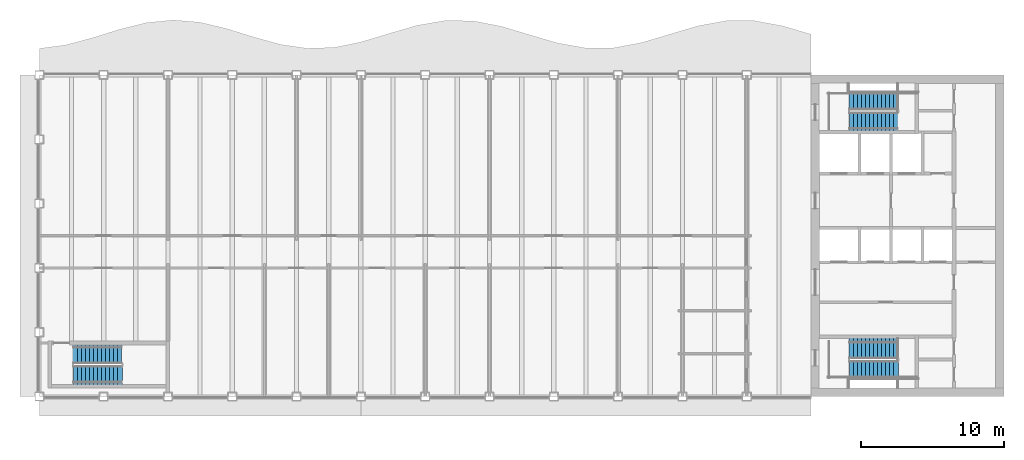
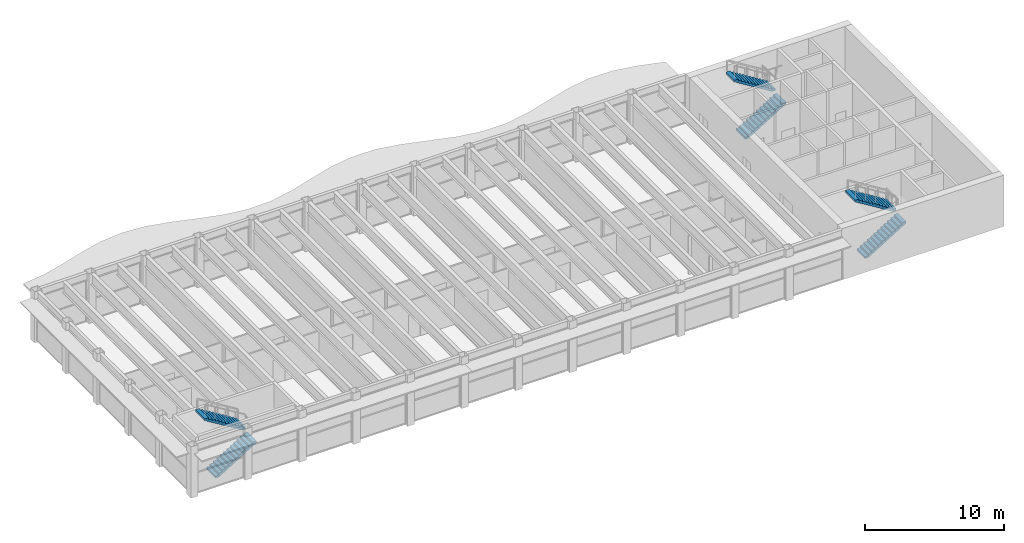
# One storey, part 11 of 14: 6 stair flights, 3 elements without a shape of their own.
"""IFC4 building model written with IfcOpenShell, lengths in metres."""

from ifc_helpers import new_model, si_unit, direction, frame, origin, place, context, subcontext, project, spatial, polyline, outline, extrude, material, type_object, element, aggregate, save


model = new_model("IFC4")

# Units and contexts
model_context = context("Model", 3, precision=1e-05, world=origin(), true_north=direction((0.0, 1.0)))
body_context = subcontext(model_context, "Body", "Model", "MODEL_VIEW")
ifc_project = project(units=[si_unit("LENGTHUNIT", "METRE"), si_unit("AREAUNIT", "SQUARE_METRE"), si_unit("VOLUMEUNIT", "CUBIC_METRE"), si_unit("PLANEANGLEUNIT", "RADIAN"), si_unit("MASSUNIT", "GRAM", prefix="KILO")], contexts=[model_context])

# Site, building, storey
site_placement = place(None, origin())
site = spatial("IfcSite", under=ifc_project, at=site_placement, CompositionType="ELEMENT")
building_placement = place(site_placement, origin())
building = spatial("IfcBuilding", under=site, at=building_placement, Name="Sennacour Bend Tower", CompositionType="ELEMENT")
storey_placement = place(building_placement, frame((0.0, 0.0, 327.5)))
storey = spatial("IfcBuildingStorey", under=building, at=storey_placement, Name="L75", CompositionType="ELEMENT", Elevation=327.5)

# Stair, stair flights
ifc_material = material(Name="Concrete C40/50", Category="concrete")
stair_type = type_object("IfcStairType", Name="ST-DOGLEG", PredefinedType="HALF_TURN_STAIR", material=ifc_material)
stair_1_placement = place(storey_placement, origin())
stair_1 = element("IfcStair", 1, at=stair_1_placement, inside=storey, type_object=stair_type, Name="L75 Exit stair A1", PredefinedType="HALF_TURN_STAIR")
stair_flight_type = type_object("IfcStairFlightType", Name="SFL-RC", PredefinedType="STRAIGHT", material=ifc_material)
stair_flight_1_placement = place(storey_placement, frame((56.699951171875, 1.89990234375, 0.0), z_axis=(0.0, 0.0, 1.0), x_axis=(1.0, 0.0, 0.0)))
stair_flight_1 = element("IfcStairFlight", 2, at=stair_flight_1_placement, type_object=stair_flight_type, Name="SA1 flight 1", NumberOfRisers=13, NumberOfTreads=12, PredefinedType="STRAIGHT", RiserHeight=0.173076923, TreadLength=0.28, context=body_context, shape_type="SweptSolid", body=[
    extrude(outline(polyline([(0.0, 0.0), (0.0, 0.173095703125), (0.280029296875, 0.173095703125), (0.280029296875, 0.34619140625), (0.56005859375, 0.34619140625), (0.56005859375, 0.519287109375), (0.840087890625, 0.519287109375), (0.840087890625, 0.6923828125), (1.1201171875, 0.6923828125), (1.1201171875, 0.865478515625), (1.39990234375, 0.865478515625), (1.39990234375, 1.03857421875), (1.679931640625, 1.03857421875), (1.679931640625, 1.21142578125), (1.9599609375, 1.21142578125), (1.9599609375, 1.384521484375), (2.239990234375, 1.384521484375), (2.239990234375, 1.5576171875), (2.52001953125, 1.5576171875), (2.52001953125, 1.730712890625), (2.800048828125, 1.730712890625), (2.800048828125, 1.90380859375), (3.080078125, 1.90380859375), (3.080078125, 2.076904296875), (3.360107421875, 2.076904296875), (3.419921875, 2.076904296875), (3.419921875, 1.900634765625), (3.360107421875, 1.900634765625), (0.28515625, 0.0), (0.0, 0.0)])), frame((0.0, 0.60009765625, 0.0), z_axis=(0.0, -1.0, 0.0), x_axis=(1.0, 0.0, 0.0)), (0.0, 0.0, 1.0), 1.199951171875),
])
stair_flight_2_placement = place(storey_placement, frame((60.06005859375, 3.37744140625, 2.25), z_axis=(0.0, 0.0, 1.0), x_axis=(-1.0, 0.0, 0.0)))
stair_flight_2 = element("IfcStairFlight", 3, at=stair_flight_2_placement, type_object=stair_flight_type, Name="SA1 flight 2", NumberOfRisers=13, NumberOfTreads=12, PredefinedType="STRAIGHT", RiserHeight=0.173076923, TreadLength=0.28, context=body_context, shape_type="SweptSolid", body=[
    extrude(outline(polyline([(0.0, 0.0), (0.0, 0.173095703125), (0.280029296875, 0.173095703125), (0.280029296875, 0.34619140625), (0.56005859375, 0.34619140625), (0.56005859375, 0.519287109375), (0.840087890625, 0.519287109375), (0.840087890625, 0.6923828125), (1.1201171875, 0.6923828125), (1.1201171875, 0.865478515625), (1.39990234375, 0.865478515625), (1.39990234375, 1.03857421875), (1.679931640625, 1.03857421875), (1.679931640625, 1.21142578125), (1.9599609375, 1.21142578125), (1.9599609375, 1.384521484375), (2.239990234375, 1.384521484375), (2.239990234375, 1.5576171875), (2.52001953125, 1.5576171875), (2.52001953125, 1.730712890625), (2.800048828125, 1.730712890625), (2.800048828125, 1.90380859375), (3.080078125, 1.90380859375), (3.080078125, 2.076904296875), (3.360107421875, 2.076904296875), (3.419921875, 2.076904296875), (3.419921875, 1.900634765625), (3.360107421875, 1.900634765625), (0.28515625, 0.0), (0.0, 0.0)])), frame((0.0, 0.7275390625, 0.0), z_axis=(0.0, -1.0, 0.0), x_axis=(1.0, 0.0, 0.0)), (0.0, 0.0, 1.0), 1.455078125),
])
aggregate(stair_1, [stair_flight_1, stair_flight_2])

stair_2_placement = place(storey_placement, origin())
stair_2 = element("IfcStair", 4, at=stair_2_placement, inside=storey, type_object=stair_type, Name="L75 Exit stair A2", PredefinedType="HALF_TURN_STAIR")
stair_flight_3_placement = place(storey_placement, frame((56.699951171875, 19.24755859375, 0.0), z_axis=(0.0, 0.0, 1.0), x_axis=(1.0, 0.0, 0.0)))
stair_flight_3 = element("IfcStairFlight", 5, at=stair_flight_3_placement, type_object=stair_flight_type, Name="SA2 flight 1", NumberOfRisers=13, NumberOfTreads=12, PredefinedType="STRAIGHT", RiserHeight=0.173076923, TreadLength=0.28, context=body_context, shape_type="SweptSolid", body=[
    extrude(outline(polyline([(0.0, 0.0), (0.0, 0.173095703125), (0.280029296875, 0.173095703125), (0.280029296875, 0.34619140625), (0.56005859375, 0.34619140625), (0.56005859375, 0.519287109375), (0.840087890625, 0.519287109375), (0.840087890625, 0.6923828125), (1.1201171875, 0.6923828125), (1.1201171875, 0.865478515625), (1.39990234375, 0.865478515625), (1.39990234375, 1.03857421875), (1.679931640625, 1.03857421875), (1.679931640625, 1.21142578125), (1.9599609375, 1.21142578125), (1.9599609375, 1.384521484375), (2.239990234375, 1.384521484375), (2.239990234375, 1.5576171875), (2.52001953125, 1.5576171875), (2.52001953125, 1.730712890625), (2.800048828125, 1.730712890625), (2.800048828125, 1.90380859375), (3.080078125, 1.90380859375), (3.080078125, 2.076904296875), (3.360107421875, 2.076904296875), (3.419921875, 2.076904296875), (3.419921875, 1.900634765625), (3.360107421875, 1.900634765625), (0.28515625, 0.0), (0.0, 0.0)])), frame((0.0, 0.65234375, 0.0), z_axis=(0.0, -1.0, 0.0), x_axis=(1.0, 0.0, 0.0)), (0.0, 0.0, 1.0), 1.304931640625),
])
stair_flight_4_placement = place(storey_placement, frame((60.06005859375, 20.64990234375, 2.25), z_axis=(0.0, 0.0, 1.0), x_axis=(-1.0, 0.0, 0.0)))
stair_flight_4 = element("IfcStairFlight", 6, at=stair_flight_4_placement, type_object=stair_flight_type, Name="SA2 flight 2", NumberOfRisers=13, NumberOfTreads=12, PredefinedType="STRAIGHT", RiserHeight=0.173076923, TreadLength=0.28, context=body_context, shape_type="SweptSolid", body=[
    extrude(outline(polyline([(0.0, 0.0), (0.0, 0.173095703125), (0.280029296875, 0.173095703125), (0.280029296875, 0.34619140625), (0.56005859375, 0.34619140625), (0.56005859375, 0.519287109375), (0.840087890625, 0.519287109375), (0.840087890625, 0.6923828125), (1.1201171875, 0.6923828125), (1.1201171875, 0.865478515625), (1.39990234375, 0.865478515625), (1.39990234375, 1.03857421875), (1.679931640625, 1.03857421875), (1.679931640625, 1.21142578125), (1.9599609375, 1.21142578125), (1.9599609375, 1.384521484375), (2.239990234375, 1.384521484375), (2.239990234375, 1.5576171875), (2.52001953125, 1.5576171875), (2.52001953125, 1.730712890625), (2.800048828125, 1.730712890625), (2.800048828125, 1.90380859375), (3.080078125, 1.90380859375), (3.080078125, 2.076904296875), (3.360107421875, 2.076904296875), (3.419921875, 2.076904296875), (3.419921875, 1.900634765625), (3.360107421875, 1.900634765625), (0.28515625, 0.0), (0.0, 0.0)])), frame((0.0, 0.60009765625, 0.0), z_axis=(0.0, -1.0, 0.0), x_axis=(1.0, 0.0, 0.0)), (0.0, 0.0, 1.0), 1.199951171875),
])
aggregate(stair_2, [stair_flight_3, stair_flight_4])

stair_3_placement = place(storey_placement, origin())
stair_3 = element("IfcStair", 7, at=stair_3_placement, inside=storey, type_object=stair_type, Name="L75 Exit stair K1", PredefinedType="HALF_TURN_STAIR")
stair_flight_5_placement = place(storey_placement, frame((2.39990234375, 1.485107421875, 0.0), z_axis=(0.0, 0.0, 1.0), x_axis=(1.0, 0.0, 0.0)))
stair_flight_5 = element("IfcStairFlight", 8, at=stair_flight_5_placement, type_object=stair_flight_type, Name="SK1 flight 1", NumberOfRisers=13, NumberOfTreads=12, PredefinedType="STRAIGHT", RiserHeight=0.173076923, TreadLength=0.28, context=body_context, shape_type="SweptSolid", body=[
    extrude(outline(polyline([(0.0, 0.0), (0.0, 0.173095703125), (0.280029296875, 0.173095703125), (0.280029296875, 0.34619140625), (0.56005859375, 0.34619140625), (0.56005859375, 0.519287109375), (0.840087890625, 0.519287109375), (0.840087890625, 0.6923828125), (1.1201171875, 0.6923828125), (1.1201171875, 0.865478515625), (1.39990234375, 0.865478515625), (1.39990234375, 1.03857421875), (1.679931640625, 1.03857421875), (1.679931640625, 1.21142578125), (1.9599609375, 1.21142578125), (1.9599609375, 1.384521484375), (2.239990234375, 1.384521484375), (2.239990234375, 1.5576171875), (2.52001953125, 1.5576171875), (2.52001953125, 1.730712890625), (2.800048828125, 1.730712890625), (2.800048828125, 1.90380859375), (3.080078125, 1.90380859375), (3.080078125, 2.076904296875), (3.360107421875, 2.076904296875), (3.419921875, 2.076904296875), (3.419921875, 1.900634765625), (3.360107421875, 1.900634765625), (0.28515625, 0.0), (0.0, 0.0)])), frame((0.0, 0.6650390625, 0.0), z_axis=(0.0, -1.0, 0.0), x_axis=(1.0, 0.0, 0.0)), (0.0, 0.0, 1.0), 1.330078125),
])
stair_flight_6_placement = place(storey_placement, frame((5.760009765625, 2.9775390625, 2.25), z_axis=(0.0, 0.0, 1.0), x_axis=(-1.0, 0.0, 0.0)))
stair_flight_6 = element("IfcStairFlight", 9, at=stair_flight_6_placement, type_object=stair_flight_type, Name="SK1 flight 2", NumberOfRisers=13, NumberOfTreads=12, PredefinedType="STRAIGHT", RiserHeight=0.173076923, TreadLength=0.28, context=body_context, shape_type="SweptSolid", body=[
    extrude(outline(polyline([(0.0, 0.0), (0.0, 0.173095703125), (0.280029296875, 0.173095703125), (0.280029296875, 0.34619140625), (0.56005859375, 0.34619140625), (0.56005859375, 0.519287109375), (0.840087890625, 0.519287109375), (0.840087890625, 0.6923828125), (1.1201171875, 0.6923828125), (1.1201171875, 0.865478515625), (1.39990234375, 0.865478515625), (1.39990234375, 1.03857421875), (1.679931640625, 1.03857421875), (1.679931640625, 1.21142578125), (1.9599609375, 1.21142578125), (1.9599609375, 1.384521484375), (2.239990234375, 1.384521484375), (2.239990234375, 1.5576171875), (2.52001953125, 1.5576171875), (2.52001953125, 1.730712890625), (2.800048828125, 1.730712890625), (2.800048828125, 1.90380859375), (3.080078125, 1.90380859375), (3.080078125, 2.076904296875), (3.360107421875, 2.076904296875), (3.419921875, 2.076904296875), (3.419921875, 1.900634765625), (3.360107421875, 1.900634765625), (0.28515625, 0.0), (0.0, 0.0)])), frame((0.0, 0.677490234375, 0.0), z_axis=(0.0, -1.0, 0.0), x_axis=(1.0, 0.0, 0.0)), (0.0, 0.0, 1.0), 1.35498046875),
])
aggregate(stair_3, [stair_flight_5, stair_flight_6])

save(model, "model.ifc")
